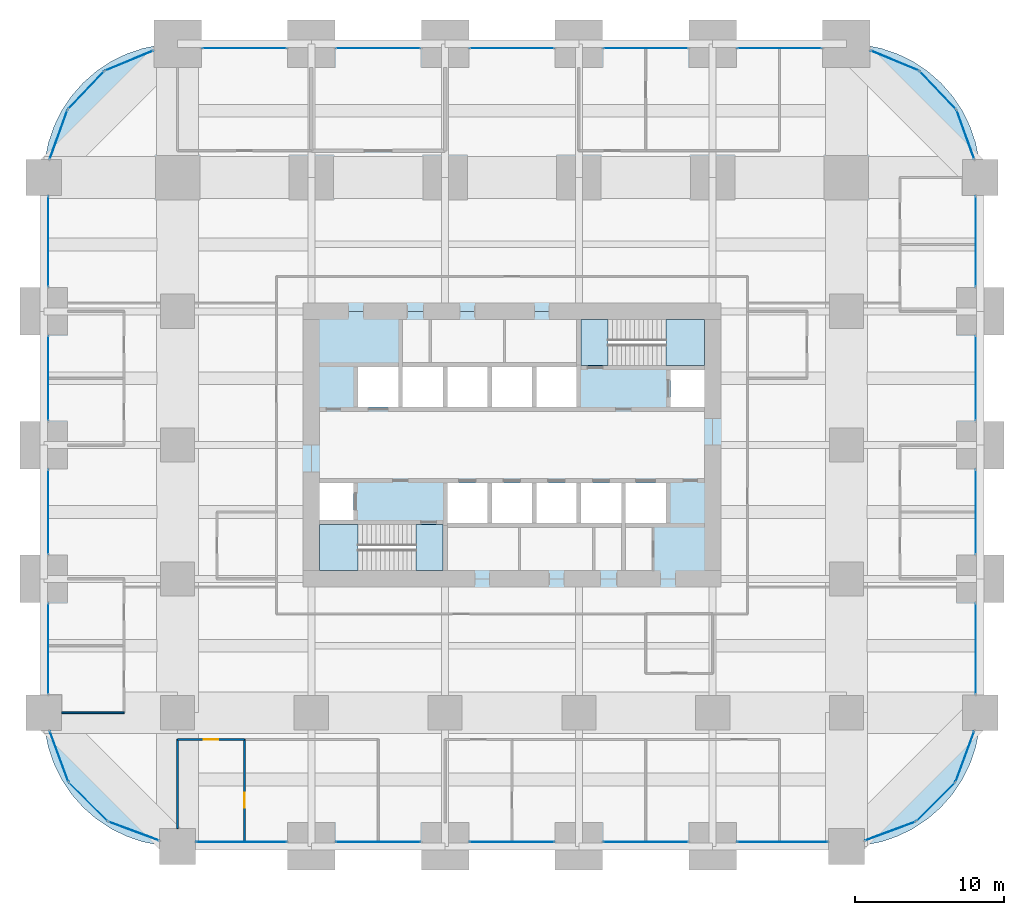
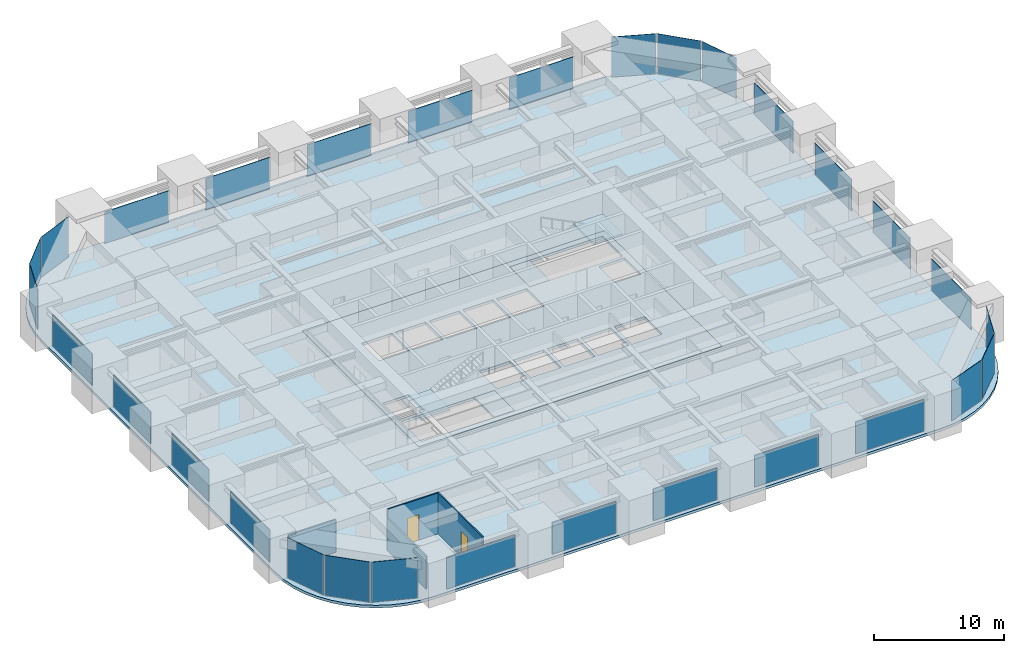
# One storey, part 37 of 42: 30 plates, 6 slabs, 4 walls, 2 doors, 2 openings, 32 elements without a shape of their own.
"""IFC4 building model written with IfcOpenShell, lengths in metres."""

from ifc_helpers import new_model, si_unit, direction, frame, frame_2d, origin, origin_2d, place, context, subcontext, project, spatial, polyline, rectangle, outline, extrude, material, layer, layer_set, type_object, element, fill, aggregate, save


model = new_model("IFC4")

# Units and contexts
model_context = context("Model", 3, precision=1e-05, world=origin(), true_north=direction((0.0, 1.0)))
body_context = subcontext(model_context, "Body", "Model", "MODEL_VIEW")
ifc_project = project(units=[si_unit("LENGTHUNIT", "METRE"), si_unit("AREAUNIT", "SQUARE_METRE"), si_unit("VOLUMEUNIT", "CUBIC_METRE"), si_unit("PLANEANGLEUNIT", "RADIAN"), si_unit("MASSUNIT", "GRAM", prefix="KILO")], contexts=[model_context])

# Site, building, storey
site_placement = place(None, origin())
site = spatial("IfcSite", under=ifc_project, at=site_placement, CompositionType="ELEMENT")
building_placement = place(site_placement, origin())
building = spatial("IfcBuilding", under=site, at=building_placement, Name="Zorevar Civic Tower", CompositionType="ELEMENT")
storey_placement = place(building_placement, frame((0.0, 0.0, 75.800048828125)))
storey = spatial("IfcBuildingStorey", under=building, at=storey_placement, Name="L18", CompositionType="ELEMENT", Elevation=75.800048828125)

# Curtain wall, plate
ifc_material_1 = material(Name="Dark grey solar-control glass in black aluminium frame", Category="aluminium")
curtain_wall_type = type_object("IfcCurtainWallType", Name="Curtain wall CW2 low zone", PredefinedType="NOTDEFINED", material=ifc_material_1)
curtain_wall_1_placement = place(storey_placement, origin())
curtain_wall_1 = element("IfcCurtainWall", 1, at=curtain_wall_1_placement, inside=storey, type_object=curtain_wall_type, Name="CW2 L18", PredefinedType="NOTDEFINED")
ifc_material_2 = material(Name="Dark grey solar-control glass", Category="glass")
ifc_layer_1 = layer(ifc_material_2, 0.031982421875)
ifc_layer_set_1 = layer_set([ifc_layer_1], Name="CW2 panel 32")
plate_type = type_object("IfcPlateType", Name="CW2 panel 32", PredefinedType="CURTAIN_PANEL", material=ifc_layer_set_1)
plate_1_placement = place(storey_placement, frame((13.300048828125, 0.300048828125, 0.06005859375), z_axis=(0.0, 0.0, 1.0), x_axis=(1.0, 0.0, 0.0)))
plate_1 = element("IfcPlate", 2, at=plate_1_placement, type_object=plate_type, Name="CW2 panel 1.1", PredefinedType="CURTAIN_PANEL", context=body_context, shape_type="SweptSolid", body=[
    extrude(rectangle(XDim=6.080078125, YDim=0.031982421875, at=origin_2d()), origin(), (0.0, 0.0, 1.0), 2.989990234375),
])
aggregate(curtain_wall_1, [plate_1])

curtain_wall_2_placement = place(storey_placement, origin())
curtain_wall_2 = element("IfcCurtainWall", 3, at=curtain_wall_2_placement, inside=storey, type_object=curtain_wall_type, Name="CW2 L18", PredefinedType="NOTDEFINED")
plate_2_placement = place(storey_placement, frame((13.5, 53.699951171875, 0.06005859375), z_axis=(0.0, 0.0, 1.0), x_axis=(1.0, 0.0, 0.0)))
plate_2 = element("IfcPlate", 4, at=plate_2_placement, type_object=plate_type, Name="CW2 panel 1.1", PredefinedType="CURTAIN_PANEL", context=body_context, shape_type="SweptSolid", body=[
    extrude(rectangle(XDim=5.679931640625, YDim=0.031982421875, at=origin_2d()), origin(), (0.0, 0.0, 1.0), 2.989990234375),
])
aggregate(curtain_wall_2, [plate_2])

curtain_wall_3_placement = place(storey_placement, origin())
curtain_wall_3 = element("IfcCurtainWall", 5, at=curtain_wall_3_placement, inside=storey, type_object=curtain_wall_type, Name="CW2 L18", PredefinedType="NOTDEFINED")
plate_3_placement = place(storey_placement, frame((22.5, 0.300048828125, 0.06005859375), z_axis=(0.0, 0.0, 1.0), x_axis=(1.0, 0.0, 0.0)))
plate_3 = element("IfcPlate", 6, at=plate_3_placement, type_object=plate_type, Name="CW2 panel 1.1", PredefinedType="CURTAIN_PANEL", context=body_context, shape_type="SweptSolid", body=[
    extrude(rectangle(XDim=5.679931640625, YDim=0.031982421875, at=origin_2d()), origin(), (0.0, 0.0, 1.0), 2.989990234375),
])
aggregate(curtain_wall_3, [plate_3])

curtain_wall_4_placement = place(storey_placement, origin())
curtain_wall_4 = element("IfcCurtainWall", 7, at=curtain_wall_4_placement, inside=storey, type_object=curtain_wall_type, Name="CW2 L18", PredefinedType="NOTDEFINED")
plate_4_placement = place(storey_placement, frame((22.5, 53.699951171875, 0.06005859375), z_axis=(0.0, 0.0, 1.0), x_axis=(1.0, 0.0, 0.0)))
plate_4 = element("IfcPlate", 8, at=plate_4_placement, type_object=plate_type, Name="CW2 panel 1.1", PredefinedType="CURTAIN_PANEL", context=body_context, shape_type="SweptSolid", body=[
    extrude(rectangle(XDim=5.679931640625, YDim=0.031982421875, at=origin_2d()), origin(), (0.0, 0.0, 1.0), 2.989990234375),
])
aggregate(curtain_wall_4, [plate_4])

curtain_wall_5_placement = place(storey_placement, origin())
curtain_wall_5 = element("IfcCurtainWall", 9, at=curtain_wall_5_placement, inside=storey, type_object=curtain_wall_type, Name="CW2 L18", PredefinedType="NOTDEFINED")
plate_5_placement = place(storey_placement, frame((31.5, 0.300048828125, 0.06005859375), z_axis=(0.0, 0.0, 1.0), x_axis=(1.0, 0.0, 0.0)))
plate_5 = element("IfcPlate", 10, at=plate_5_placement, type_object=plate_type, Name="CW2 panel 1.1", PredefinedType="CURTAIN_PANEL", context=body_context, shape_type="SweptSolid", body=[
    extrude(rectangle(XDim=5.679931640625, YDim=0.031982421875, at=origin_2d()), origin(), (0.0, 0.0, 1.0), 2.989990234375),
])
aggregate(curtain_wall_5, [plate_5])

curtain_wall_6_placement = place(storey_placement, origin())
curtain_wall_6 = element("IfcCurtainWall", 11, at=curtain_wall_6_placement, inside=storey, type_object=curtain_wall_type, Name="CW2 L18", PredefinedType="NOTDEFINED")
plate_6_placement = place(storey_placement, frame((31.5, 53.699951171875, 0.06005859375), z_axis=(0.0, 0.0, 1.0), x_axis=(1.0, 0.0, 0.0)))
plate_6 = element("IfcPlate", 12, at=plate_6_placement, type_object=plate_type, Name="CW2 panel 1.1", PredefinedType="CURTAIN_PANEL", context=body_context, shape_type="SweptSolid", body=[
    extrude(rectangle(XDim=5.679931640625, YDim=0.031982421875, at=origin_2d()), origin(), (0.0, 0.0, 1.0), 2.989990234375),
])
aggregate(curtain_wall_6, [plate_6])

curtain_wall_7_placement = place(storey_placement, origin())
curtain_wall_7 = element("IfcCurtainWall", 13, at=curtain_wall_7_placement, inside=storey, type_object=curtain_wall_type, Name="CW2 L18", PredefinedType="NOTDEFINED")
plate_7_placement = place(storey_placement, frame((40.5, 0.300048828125, 0.06005859375), z_axis=(0.0, 0.0, 1.0), x_axis=(1.0, 0.0, 0.0)))
plate_7 = element("IfcPlate", 14, at=plate_7_placement, type_object=plate_type, Name="CW2 panel 1.1", PredefinedType="CURTAIN_PANEL", context=body_context, shape_type="SweptSolid", body=[
    extrude(rectangle(XDim=5.679931640625, YDim=0.031982421875, at=origin_2d()), origin(), (0.0, 0.0, 1.0), 2.989990234375),
])
aggregate(curtain_wall_7, [plate_7])

curtain_wall_8_placement = place(storey_placement, origin())
curtain_wall_8 = element("IfcCurtainWall", 15, at=curtain_wall_8_placement, inside=storey, type_object=curtain_wall_type, Name="CW2 L18", PredefinedType="NOTDEFINED")
plate_8_placement = place(storey_placement, frame((40.5, 53.699951171875, 0.06005859375), z_axis=(0.0, 0.0, 1.0), x_axis=(1.0, 0.0, 0.0)))
plate_8 = element("IfcPlate", 16, at=plate_8_placement, type_object=plate_type, Name="CW2 panel 1.1", PredefinedType="CURTAIN_PANEL", context=body_context, shape_type="SweptSolid", body=[
    extrude(rectangle(XDim=5.679931640625, YDim=0.031982421875, at=origin_2d()), origin(), (0.0, 0.0, 1.0), 2.989990234375),
])
aggregate(curtain_wall_8, [plate_8])

curtain_wall_9_placement = place(storey_placement, origin())
curtain_wall_9 = element("IfcCurtainWall", 17, at=curtain_wall_9_placement, inside=storey, type_object=curtain_wall_type, Name="CW2 L18", PredefinedType="NOTDEFINED")
plate_9_placement = place(storey_placement, frame((49.699951171875, 0.300048828125, 0.06005859375), z_axis=(0.0, 0.0, 1.0), x_axis=(1.0, 0.0, 0.0)))
plate_9 = element("IfcPlate", 18, at=plate_9_placement, type_object=plate_type, Name="CW2 panel 1.1", PredefinedType="CURTAIN_PANEL", context=body_context, shape_type="SweptSolid", body=[
    extrude(rectangle(XDim=6.080078125, YDim=0.031982421875, at=origin_2d()), origin(), (0.0, 0.0, 1.0), 2.989990234375),
])
aggregate(curtain_wall_9, [plate_9])

curtain_wall_10_placement = place(storey_placement, origin())
curtain_wall_10 = element("IfcCurtainWall", 19, at=curtain_wall_10_placement, inside=storey, type_object=curtain_wall_type, Name="CW2 L18", PredefinedType="NOTDEFINED")
plate_10_placement = place(storey_placement, frame((49.5, 53.699951171875, 0.06005859375), z_axis=(0.0, 0.0, 1.0), x_axis=(1.0, 0.0, 0.0)))
plate_10 = element("IfcPlate", 20, at=plate_10_placement, type_object=plate_type, Name="CW2 panel 1.1", PredefinedType="CURTAIN_PANEL", context=body_context, shape_type="SweptSolid", body=[
    extrude(rectangle(XDim=5.679931640625, YDim=0.031982421875, at=origin_2d()), origin(), (0.0, 0.0, 1.0), 2.989990234375),
])
aggregate(curtain_wall_10, [plate_10])

curtain_wall_11_placement = place(storey_placement, origin())
curtain_wall_11 = element("IfcCurtainWall", 21, at=curtain_wall_11_placement, inside=storey, type_object=curtain_wall_type, Name="CW2 L18", PredefinedType="NOTDEFINED")
plate_11_placement = place(storey_placement, frame((0.300048828125, 13.300048828125, 0.06005859375), z_axis=(0.0, 0.0, 1.0), x_axis=(0.0, 1.0, 0.0)))
plate_11 = element("IfcPlate", 22, at=plate_11_placement, type_object=plate_type, Name="CW2 panel 1.1", PredefinedType="CURTAIN_PANEL", context=body_context, shape_type="SweptSolid", body=[
    extrude(rectangle(XDim=6.080078125, YDim=0.031982421875, at=origin_2d()), origin(), (0.0, 0.0, 1.0), 2.989990234375),
])
aggregate(curtain_wall_11, [plate_11])

curtain_wall_12_placement = place(storey_placement, origin())
curtain_wall_12 = element("IfcCurtainWall", 23, at=curtain_wall_12_placement, inside=storey, type_object=curtain_wall_type, Name="CW2 L18", PredefinedType="NOTDEFINED")
plate_12_placement = place(storey_placement, frame((62.699951171875, 13.300048828125, 0.06005859375), z_axis=(0.0, 0.0, 1.0), x_axis=(0.0, 1.0, 0.0)))
plate_12 = element("IfcPlate", 24, at=plate_12_placement, type_object=plate_type, Name="CW2 panel 1.1", PredefinedType="CURTAIN_PANEL", context=body_context, shape_type="SweptSolid", body=[
    extrude(rectangle(XDim=6.080078125, YDim=0.031982421875, at=origin_2d()), origin(), (0.0, 0.0, 1.0), 2.989990234375),
])
aggregate(curtain_wall_12, [plate_12])

curtain_wall_13_placement = place(storey_placement, origin())
curtain_wall_13 = element("IfcCurtainWall", 25, at=curtain_wall_13_placement, inside=storey, type_object=curtain_wall_type, Name="CW2 L18", PredefinedType="NOTDEFINED")
plate_13_placement = place(storey_placement, frame((0.300048828125, 22.5, 0.06005859375), z_axis=(0.0, 0.0, 1.0), x_axis=(0.0, 1.0, 0.0)))
plate_13 = element("IfcPlate", 26, at=plate_13_placement, type_object=plate_type, Name="CW2 panel 1.1", PredefinedType="CURTAIN_PANEL", context=body_context, shape_type="SweptSolid", body=[
    extrude(rectangle(XDim=5.679931640625, YDim=0.031982421875, at=origin_2d()), origin(), (0.0, 0.0, 1.0), 2.989990234375),
])
aggregate(curtain_wall_13, [plate_13])

curtain_wall_14_placement = place(storey_placement, origin())
curtain_wall_14 = element("IfcCurtainWall", 27, at=curtain_wall_14_placement, inside=storey, type_object=curtain_wall_type, Name="CW2 L18", PredefinedType="NOTDEFINED")
plate_14_placement = place(storey_placement, frame((62.699951171875, 22.5, 0.06005859375), z_axis=(0.0, 0.0, 1.0), x_axis=(0.0, 1.0, 0.0)))
plate_14 = element("IfcPlate", 28, at=plate_14_placement, type_object=plate_type, Name="CW2 panel 1.1", PredefinedType="CURTAIN_PANEL", context=body_context, shape_type="SweptSolid", body=[
    extrude(rectangle(XDim=5.679931640625, YDim=0.031982421875, at=origin_2d()), origin(), (0.0, 0.0, 1.0), 2.989990234375),
])
aggregate(curtain_wall_14, [plate_14])

curtain_wall_15_placement = place(storey_placement, origin())
curtain_wall_15 = element("IfcCurtainWall", 29, at=curtain_wall_15_placement, inside=storey, type_object=curtain_wall_type, Name="CW2 L18", PredefinedType="NOTDEFINED")
plate_15_placement = place(storey_placement, frame((0.300048828125, 31.5, 0.06005859375), z_axis=(0.0, 0.0, 1.0), x_axis=(0.0, 1.0, 0.0)))
plate_15 = element("IfcPlate", 30, at=plate_15_placement, type_object=plate_type, Name="CW2 panel 1.1", PredefinedType="CURTAIN_PANEL", context=body_context, shape_type="SweptSolid", body=[
    extrude(rectangle(XDim=5.679931640625, YDim=0.031982421875, at=origin_2d()), origin(), (0.0, 0.0, 1.0), 2.989990234375),
])
aggregate(curtain_wall_15, [plate_15])

curtain_wall_16_placement = place(storey_placement, origin())
curtain_wall_16 = element("IfcCurtainWall", 31, at=curtain_wall_16_placement, inside=storey, type_object=curtain_wall_type, Name="CW2 L18", PredefinedType="NOTDEFINED")
plate_16_placement = place(storey_placement, frame((62.699951171875, 31.5, 0.06005859375), z_axis=(0.0, 0.0, 1.0), x_axis=(0.0, 1.0, 0.0)))
plate_16 = element("IfcPlate", 32, at=plate_16_placement, type_object=plate_type, Name="CW2 panel 1.1", PredefinedType="CURTAIN_PANEL", context=body_context, shape_type="SweptSolid", body=[
    extrude(rectangle(XDim=5.679931640625, YDim=0.031982421875, at=origin_2d()), origin(), (0.0, 0.0, 1.0), 2.989990234375),
])
aggregate(curtain_wall_16, [plate_16])

curtain_wall_17_placement = place(storey_placement, origin())
curtain_wall_17 = element("IfcCurtainWall", 33, at=curtain_wall_17_placement, inside=storey, type_object=curtain_wall_type, Name="CW2 L18", PredefinedType="NOTDEFINED")
plate_17_placement = place(storey_placement, frame((0.300048828125, 40.699951171875, 0.06005859375), z_axis=(0.0, 0.0, 1.0), x_axis=(0.0, 1.0, 0.0)))
plate_17 = element("IfcPlate", 34, at=plate_17_placement, type_object=plate_type, Name="CW2 panel 1.1", PredefinedType="CURTAIN_PANEL", context=body_context, shape_type="SweptSolid", body=[
    extrude(rectangle(XDim=6.080078125, YDim=0.031982421875, at=origin_2d()), origin(), (0.0, 0.0, 1.0), 2.989990234375),
])
aggregate(curtain_wall_17, [plate_17])

curtain_wall_18_placement = place(storey_placement, origin())
curtain_wall_18 = element("IfcCurtainWall", 35, at=curtain_wall_18_placement, inside=storey, type_object=curtain_wall_type, Name="CW2 L18", PredefinedType="NOTDEFINED")
plate_18_placement = place(storey_placement, frame((62.699951171875, 40.699951171875, 0.06005859375), z_axis=(0.0, 0.0, 1.0), x_axis=(0.0, 1.0, 0.0)))
plate_18 = element("IfcPlate", 36, at=plate_18_placement, type_object=plate_type, Name="CW2 panel 1.1", PredefinedType="CURTAIN_PANEL", context=body_context, shape_type="SweptSolid", body=[
    extrude(rectangle(XDim=6.080078125, YDim=0.031982421875, at=origin_2d()), origin(), (0.0, 0.0, 1.0), 2.989990234375),
])
aggregate(curtain_wall_18, [plate_18])

curtain_wall_19_placement = place(storey_placement, origin())
curtain_wall_19 = element("IfcCurtainWall", 37, at=curtain_wall_19_placement, inside=storey, type_object=curtain_wall_type, Name="CW2 L18", PredefinedType="NOTDEFINED")
plate_19_placement = place(storey_placement, frame((56.9462890625, 1.02880859375, 0.059814453125), z_axis=(0.0, 0.0, 1.0), x_axis=(0.937974588163, 0.346704012033, 0.0)))
plate_19 = element("IfcPlate", 38, at=plate_19_placement, type_object=plate_type, Name="CW2 panel 1.1", PredefinedType="CURTAIN_PANEL", context=body_context, shape_type="SweptSolid", body=[
    extrude(rectangle(XDim=3.603759765625, YDim=0.031982421875, at=origin_2d()), origin(), (0.0, 0.0, 1.0), 3.7900390625),
])
aggregate(curtain_wall_19, [plate_19])

curtain_wall_20_placement = place(storey_placement, origin())
curtain_wall_20 = element("IfcCurtainWall", 39, at=curtain_wall_20_placement, inside=storey, type_object=curtain_wall_type, Name="CW2 L18", PredefinedType="NOTDEFINED")
plate_20_placement = place(storey_placement, frame((60.00927734375, 2.99072265625, 0.059814453125), z_axis=(0.0, 0.0, 1.0), x_axis=(0.707106781187, 0.707106781187, 0.0)))
plate_20 = element("IfcPlate", 40, at=plate_20_placement, type_object=plate_type, Name="CW2 panel 1.1", PredefinedType="CURTAIN_PANEL", context=body_context, shape_type="SweptSolid", body=[
    extrude(rectangle(XDim=3.603759765625, YDim=0.031982421875, at=origin_2d()), origin(), (0.0, 0.0, 1.0), 3.7900390625),
])
aggregate(curtain_wall_20, [plate_20])

curtain_wall_21_placement = place(storey_placement, origin())
curtain_wall_21 = element("IfcCurtainWall", 41, at=curtain_wall_21_placement, inside=storey, type_object=curtain_wall_type, Name="CW2 L18", PredefinedType="NOTDEFINED")
plate_21_placement = place(storey_placement, frame((61.97119140625, 6.0537109375, 0.059814453125), z_axis=(0.0, 0.0, 1.0), x_axis=(0.346704012033, 0.937974588163, 0.0)))
plate_21 = element("IfcPlate", 42, at=plate_21_placement, type_object=plate_type, Name="CW2 panel 1.1", PredefinedType="CURTAIN_PANEL", context=body_context, shape_type="SweptSolid", body=[
    extrude(rectangle(XDim=3.603759765625, YDim=0.031982421875, at=origin_2d()), origin(), (0.0, 0.0, 1.0), 3.7900390625),
])
aggregate(curtain_wall_21, [plate_21])

curtain_wall_22_placement = place(storey_placement, origin())
curtain_wall_22 = element("IfcCurtainWall", 43, at=curtain_wall_22_placement, inside=storey, type_object=curtain_wall_type, Name="CW2 L18", PredefinedType="NOTDEFINED")
plate_22_placement = place(storey_placement, frame((62.00732421875, 47.88916015625, 0.059814453125), z_axis=(0.0, 0.0, 1.0), x_axis=(-0.339414723454, 0.940636829761, 0.0)))
plate_22 = element("IfcPlate", 44, at=plate_22_placement, type_object=plate_type, Name="CW2 panel 1.1", PredefinedType="CURTAIN_PANEL", context=body_context, shape_type="SweptSolid", body=[
    extrude(rectangle(XDim=3.4716796875, YDim=0.031982421875, at=origin_2d()), origin(), (0.0, 0.0, 1.0), 3.7900390625),
])
aggregate(curtain_wall_22, [plate_22])

curtain_wall_23_placement = place(storey_placement, origin())
curtain_wall_23 = element("IfcCurtainWall", 45, at=curtain_wall_23_placement, inside=storey, type_object=curtain_wall_type, Name="CW2 L18", PredefinedType="NOTDEFINED")
plate_23_placement = place(storey_placement, frame((60.157958984375, 50.87744140625, 0.059814453125), z_axis=(0.0, 0.0, 1.0), x_axis=(-0.690436894136, 0.723392628671, 0.0)))
plate_23 = element("IfcPlate", 46, at=plate_23_placement, type_object=plate_type, Name="CW2 panel 1.1", PredefinedType="CURTAIN_PANEL", context=body_context, shape_type="SweptSolid", body=[
    extrude(rectangle(XDim=3.4716796875, YDim=0.031982421875, at=origin_2d()), origin(), (0.0, 0.0, 1.0), 3.7900390625),
])
aggregate(curtain_wall_23, [plate_23])

curtain_wall_24_placement = place(storey_placement, origin())
curtain_wall_24 = element("IfcCurtainWall", 47, at=curtain_wall_24_placement, inside=storey, type_object=curtain_wall_type, Name="CW2 L18", PredefinedType="NOTDEFINED")
plate_24_placement = place(storey_placement, frame((57.259033203125, 52.864013671875, 0.059814453125), z_axis=(0.0, 0.0, 1.0), x_axis=(-0.92381416997, 0.382841193399, 0.0)))
plate_24 = element("IfcPlate", 48, at=plate_24_placement, type_object=plate_type, Name="CW2 panel 1.1", PredefinedType="CURTAIN_PANEL", context=body_context, shape_type="SweptSolid", body=[
    extrude(rectangle(XDim=3.4716796875, YDim=0.031982421875, at=origin_2d()), origin(), (0.0, 0.0, 1.0), 3.7900390625),
])
aggregate(curtain_wall_24, [plate_24])

curtain_wall_25_placement = place(storey_placement, origin())
curtain_wall_25 = element("IfcCurtainWall", 49, at=curtain_wall_25_placement, inside=storey, type_object=curtain_wall_type, Name="CW2 L18", PredefinedType="NOTDEFINED")
plate_25_placement = place(storey_placement, frame((5.740966796875, 52.864013671875, 0.059814453125), z_axis=(0.0, 0.0, 1.0), x_axis=(-0.92381416997, -0.382841193399, 0.0)))
plate_25 = element("IfcPlate", 50, at=plate_25_placement, type_object=plate_type, Name="CW2 panel 1.1", PredefinedType="CURTAIN_PANEL", context=body_context, shape_type="SweptSolid", body=[
    extrude(rectangle(XDim=3.4716796875, YDim=0.031982421875, at=origin_2d()), origin(), (0.0, 0.0, 1.0), 3.7900390625),
])
aggregate(curtain_wall_25, [plate_25])

curtain_wall_26_placement = place(storey_placement, origin())
curtain_wall_26 = element("IfcCurtainWall", 51, at=curtain_wall_26_placement, inside=storey, type_object=curtain_wall_type, Name="CW2 L18", PredefinedType="NOTDEFINED")
plate_26_placement = place(storey_placement, frame((2.842041015625, 50.87744140625, 0.059814453125), z_axis=(0.0, 0.0, 1.0), x_axis=(-0.690436894136, -0.723392628671, 0.0)))
plate_26 = element("IfcPlate", 52, at=plate_26_placement, type_object=plate_type, Name="CW2 panel 1.1", PredefinedType="CURTAIN_PANEL", context=body_context, shape_type="SweptSolid", body=[
    extrude(rectangle(XDim=3.4716796875, YDim=0.031982421875, at=origin_2d()), origin(), (0.0, 0.0, 1.0), 3.7900390625),
])
aggregate(curtain_wall_26, [plate_26])

curtain_wall_27_placement = place(storey_placement, origin())
curtain_wall_27 = element("IfcCurtainWall", 53, at=curtain_wall_27_placement, inside=storey, type_object=curtain_wall_type, Name="CW2 L18", PredefinedType="NOTDEFINED")
plate_27_placement = place(storey_placement, frame((0.99267578125, 47.88916015625, 0.059814453125), z_axis=(0.0, 0.0, 1.0), x_axis=(-0.339414723454, -0.940636829761, 0.0)))
plate_27 = element("IfcPlate", 54, at=plate_27_placement, type_object=plate_type, Name="CW2 panel 1.1", PredefinedType="CURTAIN_PANEL", context=body_context, shape_type="SweptSolid", body=[
    extrude(rectangle(XDim=3.4716796875, YDim=0.031982421875, at=origin_2d()), origin(), (0.0, 0.0, 1.0), 3.7900390625),
])
aggregate(curtain_wall_27, [plate_27])

curtain_wall_28_placement = place(storey_placement, origin())
curtain_wall_28 = element("IfcCurtainWall", 55, at=curtain_wall_28_placement, inside=storey, type_object=curtain_wall_type, Name="CW2 L18", PredefinedType="NOTDEFINED")
plate_28_placement = place(storey_placement, frame((1.02880859375, 6.0537109375, 0.059814453125), z_axis=(0.0, 0.0, 1.0), x_axis=(0.346704012033, -0.937974588163, 0.0)))
plate_28 = element("IfcPlate", 56, at=plate_28_placement, type_object=plate_type, Name="CW2 panel 1.1", PredefinedType="CURTAIN_PANEL", context=body_context, shape_type="SweptSolid", body=[
    extrude(rectangle(XDim=3.603759765625, YDim=0.031982421875, at=origin_2d()), origin(), (0.0, 0.0, 1.0), 3.7900390625),
])
aggregate(curtain_wall_28, [plate_28])

curtain_wall_29_placement = place(storey_placement, origin())
curtain_wall_29 = element("IfcCurtainWall", 57, at=curtain_wall_29_placement, inside=storey, type_object=curtain_wall_type, Name="CW2 L18", PredefinedType="NOTDEFINED")
plate_29_placement = place(storey_placement, frame((2.99072265625, 2.99072265625, 0.059814453125), z_axis=(0.0, 0.0, 1.0), x_axis=(0.707106781187, -0.707106781187, 0.0)))
plate_29 = element("IfcPlate", 58, at=plate_29_placement, type_object=plate_type, Name="CW2 panel 1.1", PredefinedType="CURTAIN_PANEL", context=body_context, shape_type="SweptSolid", body=[
    extrude(rectangle(XDim=3.603759765625, YDim=0.031982421875, at=origin_2d()), origin(), (0.0, 0.0, 1.0), 3.7900390625),
])
aggregate(curtain_wall_29, [plate_29])

curtain_wall_30_placement = place(storey_placement, origin())
curtain_wall_30 = element("IfcCurtainWall", 59, at=curtain_wall_30_placement, inside=storey, type_object=curtain_wall_type, Name="CW2 L18", PredefinedType="NOTDEFINED")
plate_30_placement = place(storey_placement, frame((6.0537109375, 1.02880859375, 0.059814453125), z_axis=(0.0, 0.0, 1.0), x_axis=(0.937974588163, -0.346704012033, 0.0)))
plate_30 = element("IfcPlate", 60, at=plate_30_placement, type_object=plate_type, Name="CW2 panel 1.1", PredefinedType="CURTAIN_PANEL", context=body_context, shape_type="SweptSolid", body=[
    extrude(rectangle(XDim=3.603759765625, YDim=0.031982421875, at=origin_2d()), origin(), (0.0, 0.0, 1.0), 3.7900390625),
])
aggregate(curtain_wall_30, [plate_30])

# Slabs
ifc_material_3 = material(Name="Concrete C40/50", Category="concrete")
ifc_layer_2 = layer(ifc_material_3, 0.25)
ifc_layer_set_2 = layer_set([ifc_layer_2], Name="Floor slab 250")
slab_type_1 = type_object("IfcSlabType", Name="Floor slab 250", PredefinedType="FLOOR", material=ifc_layer_set_2)
slab_1_placement = place(storey_placement, frame((0.0, 0.0, -0.25)))
element("IfcSlab", 61, at=slab_1_placement, inside=storey, type_object=slab_type_1, Name="Floor slab L18", PredefinedType="FLOOR", context=body_context, shape_type="SweptSolid", body=[
    extrude(outline(polyline([(54.0, 0.0), (55.1748046875, 0.076904296875), (56.329345703125, 0.306640625), (57.444091796875, 0.68505859375), (58.5, 1.205810546875), (59.478759765625, 1.85986328125), (60.364013671875, 2.635986328125), (61.14013671875, 3.521240234375), (61.794189453125, 4.5), (62.31494140625, 5.555908203125), (62.693359375, 6.670654296875), (62.923095703125, 7.8251953125), (63.0, 9.0), (63.0, 45.0), (62.923095703125, 46.1748046875), (62.693359375, 47.329345703125), (62.31494140625, 48.444091796875), (61.794189453125, 49.5), (61.14013671875, 50.478759765625), (60.364013671875, 51.364013671875), (59.478759765625, 52.14013671875), (58.5, 52.794189453125), (57.444091796875, 53.31494140625), (56.329345703125, 53.693359375), (55.1748046875, 53.923095703125), (54.0, 54.0), (9.0, 54.0), (7.8251953125, 53.923095703125), (6.670654296875, 53.693359375), (5.555908203125, 53.31494140625), (4.5, 52.794189453125), (3.521240234375, 52.14013671875), (2.635986328125, 51.364013671875), (1.85986328125, 50.478759765625), (1.205810546875, 49.5), (0.68505859375, 48.444091796875), (0.306640625, 47.329345703125), (0.076904296875, 46.1748046875), (0.0, 45.0), (0.0, 9.0), (0.076904296875, 7.8251953125), (0.306640625, 6.670654296875), (0.68505859375, 5.555908203125), (1.205810546875, 4.5), (1.85986328125, 3.521240234375), (2.635986328125, 2.635986328125), (3.521240234375, 1.85986328125), (4.5, 1.205810546875), (5.555908203125, 0.68505859375), (6.670654296875, 0.306640625), (7.8251953125, 0.076904296875), (9.0, 0.0), (54.0, 0.0)]), holes=[polyline([(18.0, 18.0), (45.0, 18.0), (45.0, 36.0), (18.0, 36.0), (18.0, 18.0)])]), origin(), (0.0, 0.0, 1.0), 0.25),
])
slab_2_placement = place(storey_placement, frame((0.0, 0.0, -0.25)))
element("IfcSlab", 62, at=slab_2_placement, inside=storey, type_object=slab_type_1, Name="Core floor L18", PredefinedType="FLOOR", context=body_context, shape_type="SweptSolid", body=[
    extrude(outline(polyline([(18.0, 18.0), (45.0, 18.0), (45.0, 36.0), (18.0, 36.0), (18.0, 18.0)]), holes=[polyline([(18.550048828125, 18.550048828125), (26.85009765625, 18.550048828125), (26.85009765625, 21.64990234375), (18.550048828125, 21.64990234375), (18.550048828125, 18.550048828125)]), polyline([(36.14990234375, 32.35009765625), (44.449951171875, 32.35009765625), (44.449951171875, 35.449951171875), (36.14990234375, 35.449951171875), (36.14990234375, 32.35009765625)]), polyline([(18.550048828125, 21.949951171875), (20.85009765625, 21.949951171875), (20.85009765625, 24.449951171875), (18.550048828125, 24.449951171875), (18.550048828125, 21.949951171875)]), polyline([(42.14990234375, 29.550048828125), (44.449951171875, 29.550048828125), (44.449951171875, 32.050048828125), (42.14990234375, 32.050048828125), (42.14990234375, 29.550048828125)]), polyline([(27.14990234375, 21.75), (29.85009765625, 21.75), (29.85009765625, 24.449951171875), (27.14990234375, 24.449951171875), (27.14990234375, 21.75)]), polyline([(33.14990234375, 29.550048828125), (35.85009765625, 29.550048828125), (35.85009765625, 32.25), (33.14990234375, 32.25), (33.14990234375, 29.550048828125)]), polyline([(30.14990234375, 21.75), (32.85009765625, 21.75), (32.85009765625, 24.449951171875), (30.14990234375, 24.449951171875), (30.14990234375, 21.75)]), polyline([(30.14990234375, 29.550048828125), (32.85009765625, 29.550048828125), (32.85009765625, 32.25), (30.14990234375, 32.25), (30.14990234375, 29.550048828125)]), polyline([(33.14990234375, 21.75), (35.85009765625, 21.75), (35.85009765625, 24.449951171875), (33.14990234375, 24.449951171875), (33.14990234375, 21.75)]), polyline([(27.14990234375, 29.550048828125), (29.85009765625, 29.550048828125), (29.85009765625, 32.25), (27.14990234375, 32.25), (27.14990234375, 29.550048828125)]), polyline([(36.14990234375, 21.75), (38.85009765625, 21.75), (38.85009765625, 24.449951171875), (36.14990234375, 24.449951171875), (36.14990234375, 21.75)]), polyline([(24.14990234375, 29.550048828125), (26.85009765625, 29.550048828125), (26.85009765625, 32.25), (24.14990234375, 32.25), (24.14990234375, 29.550048828125)]), polyline([(39.14990234375, 21.75), (41.85009765625, 21.75), (41.85009765625, 24.449951171875), (39.14990234375, 24.449951171875), (39.14990234375, 21.75)]), polyline([(21.14990234375, 29.550048828125), (23.85009765625, 29.550048828125), (23.85009765625, 32.25), (21.14990234375, 32.25), (21.14990234375, 29.550048828125)])]), origin(), (0.0, 0.0, 1.0), 0.25),
])

# Stair, slabs
ifc_material_4 = material(Name="Precast concrete C40/50", Category="concrete")
stair_type = type_object("IfcStairType", Name="Stair ST 28R", PredefinedType="HALF_TURN_STAIR", material=ifc_material_4)
stair_1_placement = place(storey_placement, origin())
stair_1 = element("IfcStair", 63, at=stair_1_placement, inside=storey, type_object=stair_type, Name="Stair ST1 L18", PredefinedType="HALF_TURN_STAIR")
ifc_material_5 = material(Name="Concrete C40/50", Category="concrete")
ifc_layer_3 = layer(ifc_material_5, 0.199951171875)
ifc_layer_set_3 = layer_set([ifc_layer_3], Name="Stair landing 200")
slab_type_2 = type_object("IfcSlabType", Name="Stair landing 200", PredefinedType="LANDING", material=ifc_layer_set_3)
slab_3_placement = place(storey_placement, frame((0.0, 0.0, -0.199951171875)))
slab_3 = element("IfcSlab", 64, at=slab_3_placement, type_object=slab_type_2, Name="ST1 landing 1", PredefinedType="LANDING", context=body_context, shape_type="SweptSolid", body=[
    extrude(outline(polyline([(25.050048828125, 18.550048828125), (26.85009765625, 18.550048828125), (26.85009765625, 21.64990234375), (25.050048828125, 21.64990234375), (25.050048828125, 18.550048828125)])), origin(), (0.0, 0.0, 1.0), 0.199951171875),
])
slab_4_placement = place(storey_placement, frame((0.0, 0.0, 1.89990234375)))
slab_4 = element("IfcSlab", 65, at=slab_4_placement, type_object=slab_type_2, Name="ST1 landing 2", PredefinedType="LANDING", context=body_context, shape_type="SweptSolid", body=[
    extrude(outline(polyline([(18.550048828125, 18.550048828125), (21.14990234375, 18.550048828125), (21.14990234375, 21.64990234375), (18.550048828125, 21.64990234375), (18.550048828125, 18.550048828125)])), origin(), (0.0, 0.0, 1.0), 0.199951171875),
])
aggregate(stair_1, [slab_3, slab_4])

stair_2_placement = place(storey_placement, origin())
stair_2 = element("IfcStair", 66, at=stair_2_placement, inside=storey, type_object=stair_type, Name="Stair ST2 L18", PredefinedType="HALF_TURN_STAIR")
slab_5_placement = place(storey_placement, frame((0.0, 0.0, -0.199951171875)))
slab_5 = element("IfcSlab", 67, at=slab_5_placement, type_object=slab_type_2, Name="ST2 landing 1", PredefinedType="LANDING", context=body_context, shape_type="SweptSolid", body=[
    extrude(outline(polyline([(37.949951171875, 32.35009765625), (36.14990234375, 32.35009765625), (36.14990234375, 35.449951171875), (37.949951171875, 35.449951171875), (37.949951171875, 32.35009765625)])), origin(), (0.0, 0.0, 1.0), 0.199951171875),
])
slab_6_placement = place(storey_placement, frame((0.0, 0.0, 1.89990234375)))
slab_6 = element("IfcSlab", 68, at=slab_6_placement, type_object=slab_type_2, Name="ST2 landing 2", PredefinedType="LANDING", context=body_context, shape_type="SweptSolid", body=[
    extrude(outline(polyline([(44.449951171875, 32.35009765625), (41.85009765625, 32.35009765625), (41.85009765625, 35.449951171875), (44.449951171875, 35.449951171875), (44.449951171875, 32.35009765625)])), origin(), (0.0, 0.0, 1.0), 0.199951171875),
])
aggregate(stair_2, [slab_5, slab_6])

# Wall, opening, door
ifc_material_6 = material(Name="Gypsum board on steel studs", Category="steel")
ifc_layer_4 = layer(ifc_material_6, 0.1201171875)
ifc_layer_set_4 = layer_set([ifc_layer_4], Name="Partition 120")
wall_type = type_object("IfcWallType", Name="Partition 120", PredefinedType="PARTITIONING", material=ifc_layer_set_4)
wall_1_placement = place(storey_placement, frame((9.0, 7.199951171875, 0.0), z_axis=(0.0, 0.0, 1.0), x_axis=(1.0, 0.0, 0.0)))
wall_1 = element("IfcWall", 69, at=wall_1_placement, inside=storey, type_object=wall_type, Name="Partition 120 L18", PredefinedType="PARTITIONING", context=body_context, shape_type="SweptSolid", body=[
    extrude(rectangle(XDim=4.5, YDim=0.1201171875, at=frame_2d((2.25, 0.0))), origin(), (0.0, 0.0, 1.0), 3.849853515625),
])
opening_1_placement = place(wall_1_placement, frame((1.75, 0.0, 0.0)))
opening_1 = element("IfcOpeningElement", 70, at=opening_1_placement, cuts=wall_1, Name="Opening L18.17", PredefinedType="OPENING", context=body_context, shape_type="SweptSolid", body=[
    extrude(rectangle(XDim=1.0, YDim=2.39990234375, at=frame_2d((0.5, 1.199951171875))), frame((0.0, 0.070068359375, 0.0), z_axis=(0.0, -1.0, 0.0), x_axis=(1.0, 0.0, 0.0)), (0.0, 0.0, 1.0), 0.14013671875),
])
ifc_material_7 = material(Name="Timber door set", Category="wood")
door_type = type_object("IfcDoorType", Name="Door D1 1000x2400", OperationType="SINGLE_SWING_LEFT", PredefinedType="DOOR", material=ifc_material_7)
door_1_placement = place(opening_1_placement, origin())
door_1 = element("IfcDoor", 71, at=door_1_placement, inside=storey, type_object=door_type, Name="Door L18 D1", OperationType="SINGLE_SWING_RIGHT", OverallHeight=2.39990234375, OverallWidth=1.0, PredefinedType="DOOR", context=body_context, shape_type="SweptSolid", body=[
    extrude(rectangle(XDim=1.0, YDim=2.39990234375, at=frame_2d((0.5, 1.199951171875))), frame((0.0, 0.02490234375, 0.0), z_axis=(0.0, -1.0, 0.0), x_axis=(1.0, 0.0, 0.0)), (0.0, 0.0, 1.0), 0.050048828125),
])
fill(opening_1, door_1)

# Walls
wall_2_placement = place(storey_placement, frame((1.199951171875, 9.0, 0.0), z_axis=(0.0, 0.0, 1.0), x_axis=(1.0, 0.0, 0.0)))
element("IfcWall", 72, at=wall_2_placement, inside=storey, type_object=wall_type, Name="Partition 120 L18", PredefinedType="PARTITIONING", context=body_context, shape_type="SweptSolid", body=[
    extrude(rectangle(XDim=4.199951171875, YDim=0.1201171875, at=frame_2d((2.10009765625, 0.0))), origin(), (0.0, 0.0, 1.0), 3.050048828125),
])
wall_3_placement = place(storey_placement, frame((9.0, 1.199951171875, 0.0), z_axis=(0.0, 0.0, 1.0), x_axis=(0.0, 1.0, 0.0)))
element("IfcWall", 73, at=wall_3_placement, inside=storey, type_object=wall_type, Name="Partition 120 L18", PredefinedType="PARTITIONING", context=body_context, shape_type="SweptSolid", body=[
    extrude(rectangle(XDim=6.0, YDim=0.1201171875, at=frame_2d((3.0, 0.0))), origin(), (0.0, 0.0, 1.0), 3.050048828125),
])

# Wall, opening, door
wall_4_placement = place(storey_placement, frame((13.5, 0.31005859375, 0.0), z_axis=(0.0, 0.0, 1.0), x_axis=(0.0, 1.0, 0.0)))
wall_4 = element("IfcWall", 74, at=wall_4_placement, inside=storey, type_object=wall_type, Name="Partition 120 L18", PredefinedType="PARTITIONING", context=body_context, shape_type="SweptSolid", body=[
    extrude(rectangle(XDim=6.889892578125, YDim=0.1201171875, at=frame_2d((3.44482421875, 0.0))), origin(), (0.0, 0.0, 1.0), 3.849853515625),
])
opening_2_placement = place(wall_4_placement, frame((2.2900390625, 0.0, 0.0)))
opening_2 = element("IfcOpeningElement", 75, at=opening_2_placement, cuts=wall_4, Name="Opening L18.31", PredefinedType="OPENING", context=body_context, shape_type="SweptSolid", body=[
    extrude(rectangle(XDim=1.0, YDim=2.39990234375, at=frame_2d((0.5, 1.199951171875))), frame((0.0, 0.070068359375, 0.0), z_axis=(0.0, -1.0, 0.0), x_axis=(1.0, 0.0, 0.0)), (0.0, 0.0, 1.0), 0.14013671875),
])
door_2_placement = place(opening_2_placement, origin())
door_2 = element("IfcDoor", 76, at=door_2_placement, inside=storey, type_object=door_type, Name="Door L18 D1", OperationType="SINGLE_SWING_LEFT", OverallHeight=2.39990234375, OverallWidth=1.0, PredefinedType="DOOR", context=body_context, shape_type="SweptSolid", body=[
    extrude(rectangle(XDim=1.0, YDim=2.39990234375, at=frame_2d((0.5, 1.199951171875))), frame((0.0, 0.02490234375, 0.0), z_axis=(0.0, -1.0, 0.0), x_axis=(1.0, 0.0, 0.0)), (0.0, 0.0, 1.0), 0.050048828125),
])
fill(opening_2, door_2)

save(model, "model.ifc")
